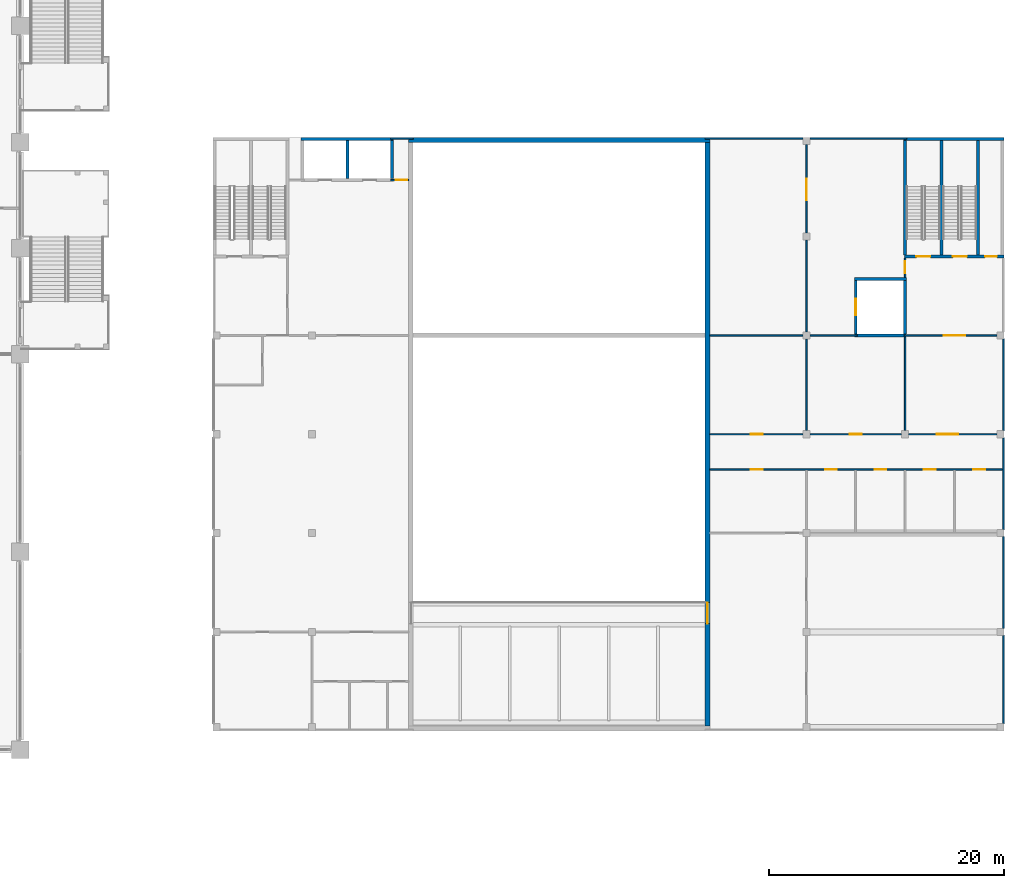
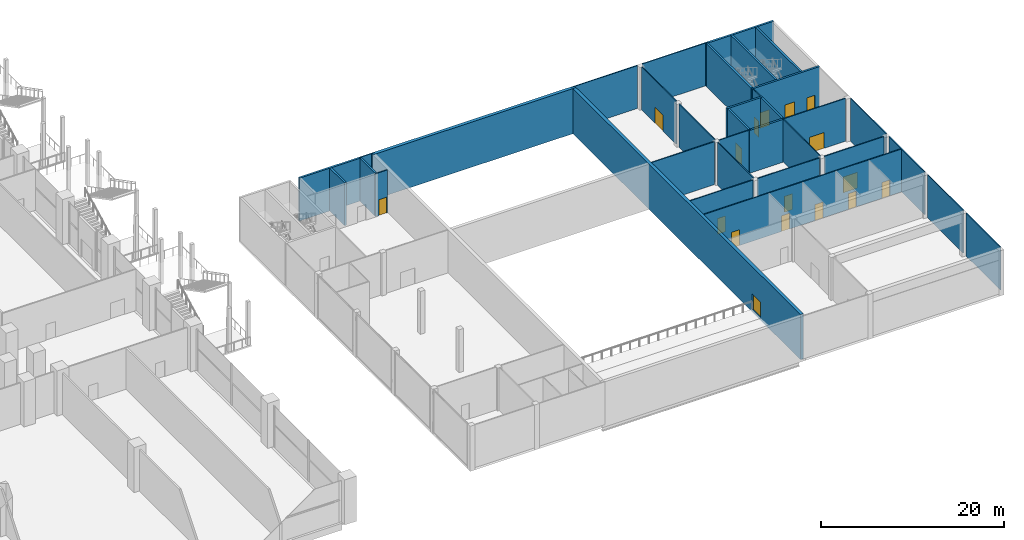
# One storey, part 30 of 49: 34 walls, 17 doors, 17 openings.
"""IFC4 building model written with IfcOpenShell, lengths in metres."""

from ifc_helpers import new_model, si_unit, direction, frame, frame_2d, origin, place, context, subcontext, project, spatial, rectangle, extrude, material, layer, layer_set, type_object, element, fill, save


model = new_model("IFC4")

# Units and contexts
model_context = context("Model", 3, precision=1e-05, world=origin(), true_north=direction((0.0, 1.0)))
body_context = subcontext(model_context, "Body", "Model", "MODEL_VIEW")
ifc_project = project(units=[si_unit("LENGTHUNIT", "METRE"), si_unit("AREAUNIT", "SQUARE_METRE"), si_unit("VOLUMEUNIT", "CUBIC_METRE"), si_unit("PLANEANGLEUNIT", "RADIAN"), si_unit("MASSUNIT", "GRAM", prefix="KILO")], contexts=[model_context])

# Site, building, storey
site_placement = place(None, origin())
site = spatial("IfcSite", under=ifc_project, at=site_placement, CompositionType="ELEMENT")
building_placement = place(site_placement, origin())
building = spatial("IfcBuilding", under=site, at=building_placement, Name="Candeia Pilgrim Tower and Theatre", CompositionType="ELEMENT")
storey_placement = place(building_placement, frame((0.0, 0.0, 17.0)))
storey = spatial("IfcBuildingStorey", under=building, at=storey_placement, Name="L02", CompositionType="ELEMENT", Elevation=17.0)

# Wall, openings, doors
ifc_material_1 = material(Name="Gypsum board on steel studs", Category="steel")
ifc_layer_1 = layer(ifc_material_1, 0.125)
ifc_layer_set_1 = layer_set([ifc_layer_1], Name="Partition 125")
wall_type_1 = type_object("IfcWallType", Name="Partition 125", PredefinedType="PARTITIONING", material=ifc_layer_set_1)
wall_1_placement = place(storey_placement, frame((218.199951171875, 88.199951171875, 0.0), z_axis=(0.0, 0.0, 1.0), x_axis=(1.0, 0.0, 0.0)))
wall_1 = element("IfcWall", 1, at=wall_1_placement, inside=storey, type_object=wall_type_1, Name="T-L02-W011", PredefinedType="PARTITIONING", context=body_context, shape_type="SweptSolid", body=[
    extrude(rectangle(XDim=24.875, YDim=0.125, at=frame_2d((12.4375, 0.0))), origin(), (0.0, 0.0, 1.0), 5.699951171875),
])
opening_1_placement = place(wall_1_placement, frame((3.5, 0.0, 0.0)))
opening_1 = element("IfcOpeningElement", 2, at=opening_1_placement, cuts=wall_1, Name="Opening TD-L02-025", PredefinedType="OPENING", context=body_context, shape_type="SweptSolid", body=[
    extrude(rectangle(XDim=1.0, YDim=2.10009765625, at=frame_2d((0.5, 1.050048828125))), frame((0.0, 0.072509765625, 0.0), z_axis=(0.0, -1.0, 0.0), x_axis=(1.0, 0.0, 0.0)), (0.0, 0.0, 1.0), 0.14501953125),
])
opening_2_placement = place(wall_1_placement, frame((9.800048828125, 0.0, 0.0)))
opening_2 = element("IfcOpeningElement", 3, at=opening_2_placement, cuts=wall_1, Name="Opening TD-L02-026", PredefinedType="OPENING", context=body_context, shape_type="SweptSolid", body=[
    extrude(rectangle(XDim=1.0, YDim=2.10009765625, at=frame_2d((0.5, 1.050048828125))), frame((0.0, 0.072509765625, 0.0), z_axis=(0.0, -1.0, 0.0), x_axis=(1.0, 0.0, 0.0)), (0.0, 0.0, 1.0), 0.14501953125),
])
opening_3_placement = place(wall_1_placement, frame((14.0, 0.0, 0.0)))
opening_3 = element("IfcOpeningElement", 4, at=opening_3_placement, cuts=wall_1, Name="Opening TD-L02-027", PredefinedType="OPENING", context=body_context, shape_type="SweptSolid", body=[
    extrude(rectangle(XDim=1.0, YDim=2.10009765625, at=frame_2d((0.5, 1.050048828125))), frame((0.0, 0.072509765625, 0.0), z_axis=(0.0, -1.0, 0.0), x_axis=(1.0, 0.0, 0.0)), (0.0, 0.0, 1.0), 0.14501953125),
])
opening_4_placement = place(wall_1_placement, frame((18.199951171875, 0.0, 0.0)))
opening_4 = element("IfcOpeningElement", 5, at=opening_4_placement, cuts=wall_1, Name="Opening TD-L02-028", PredefinedType="OPENING", context=body_context, shape_type="SweptSolid", body=[
    extrude(rectangle(XDim=1.0, YDim=2.10009765625, at=frame_2d((0.5, 1.050048828125))), frame((0.0, 0.072509765625, 0.0), z_axis=(0.0, -1.0, 0.0), x_axis=(1.0, 0.0, 0.0)), (0.0, 0.0, 1.0), 0.14501953125),
])
opening_5_placement = place(wall_1_placement, frame((22.39990234375, 0.0, 0.0)))
opening_5 = element("IfcOpeningElement", 6, at=opening_5_placement, cuts=wall_1, Name="Opening TD-L02-029", PredefinedType="OPENING", context=body_context, shape_type="SweptSolid", body=[
    extrude(rectangle(XDim=1.0, YDim=2.10009765625, at=frame_2d((0.5, 1.050048828125))), frame((0.0, 0.072509765625, 0.0), z_axis=(0.0, -1.0, 0.0), x_axis=(1.0, 0.0, 0.0)), (0.0, 0.0, 1.0), 0.14501953125),
])
ifc_material_2 = material(Name="Timber door leaf", Category="wood")
door_type_1 = type_object("IfcDoorType", Name="Door single 1000x2100", OperationType="NOTDEFINED", PredefinedType="DOOR", material=ifc_material_2)
door_1_placement = place(opening_1_placement, origin())
door_1 = element("IfcDoor", 7, at=door_1_placement, inside=storey, type_object=door_type_1, Name="Door TD-L02-025", OperationType="SINGLE_SWING_LEFT", OverallHeight=2.10009765625, OverallWidth=1.0, PredefinedType="DOOR", context=body_context, shape_type="SweptSolid", body=[
    extrude(rectangle(XDim=1.0, YDim=2.10009765625, at=frame_2d((0.5, 1.050048828125))), frame((0.0, 0.02490234375, 0.0), z_axis=(0.0, -1.0, 0.0), x_axis=(1.0, 0.0, 0.0)), (0.0, 0.0, 1.0), 0.050048828125),
])
fill(opening_1, door_1)
door_2_placement = place(opening_2_placement, origin())
door_2 = element("IfcDoor", 8, at=door_2_placement, inside=storey, type_object=door_type_1, Name="Door TD-L02-026", OperationType="SINGLE_SWING_RIGHT", OverallHeight=2.10009765625, OverallWidth=1.0, PredefinedType="DOOR", context=body_context, shape_type="SweptSolid", body=[
    extrude(rectangle(XDim=1.0, YDim=2.10009765625, at=frame_2d((0.5, 1.050048828125))), frame((0.0, 0.02490234375, 0.0), z_axis=(0.0, -1.0, 0.0), x_axis=(1.0, 0.0, 0.0)), (0.0, 0.0, 1.0), 0.050048828125),
])
fill(opening_2, door_2)
door_3_placement = place(opening_3_placement, origin())
door_3 = element("IfcDoor", 9, at=door_3_placement, inside=storey, type_object=door_type_1, Name="Door TD-L02-027", OperationType="SINGLE_SWING_LEFT", OverallHeight=2.10009765625, OverallWidth=1.0, PredefinedType="DOOR", context=body_context, shape_type="SweptSolid", body=[
    extrude(rectangle(XDim=1.0, YDim=2.10009765625, at=frame_2d((0.5, 1.050048828125))), frame((0.0, 0.02490234375, 0.0), z_axis=(0.0, -1.0, 0.0), x_axis=(1.0, 0.0, 0.0)), (0.0, 0.0, 1.0), 0.050048828125),
])
fill(opening_3, door_3)
door_4_placement = place(opening_4_placement, origin())
door_4 = element("IfcDoor", 10, at=door_4_placement, inside=storey, type_object=door_type_1, Name="Door TD-L02-028", OperationType="SINGLE_SWING_RIGHT", OverallHeight=2.10009765625, OverallWidth=1.0, PredefinedType="DOOR", context=body_context, shape_type="SweptSolid", body=[
    extrude(rectangle(XDim=1.0, YDim=2.10009765625, at=frame_2d((0.5, 1.050048828125))), frame((0.0, 0.02490234375, 0.0), z_axis=(0.0, -1.0, 0.0), x_axis=(1.0, 0.0, 0.0)), (0.0, 0.0, 1.0), 0.050048828125),
])
fill(opening_4, door_4)
door_5_placement = place(opening_5_placement, origin())
door_5 = element("IfcDoor", 11, at=door_5_placement, inside=storey, type_object=door_type_1, Name="Door TD-L02-029", OperationType="SINGLE_SWING_LEFT", OverallHeight=2.10009765625, OverallWidth=1.0, PredefinedType="DOOR", context=body_context, shape_type="SweptSolid", body=[
    extrude(rectangle(XDim=1.0, YDim=2.10009765625, at=frame_2d((0.5, 1.050048828125))), frame((0.0, 0.02490234375, 0.0), z_axis=(0.0, -1.0, 0.0), x_axis=(1.0, 0.0, 0.0)), (0.0, 0.0, 1.0), 0.050048828125),
])
fill(opening_5, door_5)

# Wall, opening, door
wall_2_placement = place(storey_placement, frame((218.199951171875, 91.199951171875, 0.0), z_axis=(0.0, 0.0, 1.0), x_axis=(1.0, 0.0, 0.0)))
wall_2 = element("IfcWall", 12, at=wall_2_placement, inside=storey, type_object=wall_type_1, Name="T-L02-W012", PredefinedType="PARTITIONING", context=body_context, shape_type="SweptSolid", body=[
    extrude(rectangle(XDim=7.900146484375, YDim=0.125, at=frame_2d((3.9501953125, 0.0))), origin(), (0.0, 0.0, 1.0), 5.699951171875),
])
opening_6_placement = place(wall_2_placement, frame((3.5, 0.0, 0.0)))
opening_6 = element("IfcOpeningElement", 13, at=opening_6_placement, cuts=wall_2, Name="Opening TD-L02-030", PredefinedType="OPENING", context=body_context, shape_type="SweptSolid", body=[
    extrude(rectangle(XDim=1.0, YDim=2.10009765625, at=frame_2d((0.5, 1.050048828125))), frame((0.0, 0.072509765625, 0.0), z_axis=(0.0, -1.0, 0.0), x_axis=(1.0, 0.0, 0.0)), (0.0, 0.0, 1.0), 0.14501953125),
])
door_6_placement = place(opening_6_placement, origin())
door_6 = element("IfcDoor", 14, at=door_6_placement, inside=storey, type_object=door_type_1, Name="Door TD-L02-030", OperationType="SINGLE_SWING_RIGHT", OverallHeight=2.10009765625, OverallWidth=1.0, PredefinedType="DOOR", context=body_context, shape_type="SweptSolid", body=[
    extrude(rectangle(XDim=1.0, YDim=2.10009765625, at=frame_2d((0.5, 1.050048828125))), frame((0.0, 0.02490234375, 0.0), z_axis=(0.0, -1.0, 0.0), x_axis=(1.0, 0.0, 0.0)), (0.0, 0.0, 1.0), 0.050048828125),
])
fill(opening_6, door_6)

wall_3_placement = place(storey_placement, frame((226.699951171875, 91.199951171875, 0.0), z_axis=(0.0, 0.0, 1.0), x_axis=(1.0, 0.0, 0.0)))
wall_3 = element("IfcWall", 15, at=wall_3_placement, inside=storey, type_object=wall_type_1, Name="T-L02-W013", PredefinedType="PARTITIONING", context=body_context, shape_type="SweptSolid", body=[
    extrude(rectangle(XDim=7.800048828125, YDim=0.125, at=frame_2d((3.89990234375, 0.0))), origin(), (0.0, 0.0, 1.0), 5.699951171875),
])
opening_7_placement = place(wall_3_placement, frame((3.39990234375, 0.0, 0.0)))
opening_7 = element("IfcOpeningElement", 16, at=opening_7_placement, cuts=wall_3, Name="Opening TD-L02-031", PredefinedType="OPENING", context=body_context, shape_type="SweptSolid", body=[
    extrude(rectangle(XDim=1.0, YDim=2.10009765625, at=frame_2d((0.5, 1.050048828125))), frame((0.0, 0.072509765625, 0.0), z_axis=(0.0, -1.0, 0.0), x_axis=(1.0, 0.0, 0.0)), (0.0, 0.0, 1.0), 0.14501953125),
])
door_7_placement = place(opening_7_placement, origin())
door_7 = element("IfcDoor", 17, at=door_7_placement, inside=storey, type_object=door_type_1, Name="Door TD-L02-031", OperationType="SINGLE_SWING_LEFT", OverallHeight=2.10009765625, OverallWidth=1.0, PredefinedType="DOOR", context=body_context, shape_type="SweptSolid", body=[
    extrude(rectangle(XDim=1.0, YDim=2.10009765625, at=frame_2d((0.5, 1.050048828125))), frame((0.0, 0.02490234375, 0.0), z_axis=(0.0, -1.0, 0.0), x_axis=(1.0, 0.0, 0.0)), (0.0, 0.0, 1.0), 0.050048828125),
])
fill(opening_7, door_7)

wall_4_placement = place(storey_placement, frame((235.10009765625, 91.199951171875, 0.0), z_axis=(0.0, 0.0, 1.0), x_axis=(1.0, 0.0, 0.0)))
wall_4 = element("IfcWall", 18, at=wall_4_placement, inside=storey, type_object=wall_type_1, Name="T-L02-W014", PredefinedType="PARTITIONING", context=body_context, shape_type="SweptSolid", body=[
    extrude(rectangle(XDim=7.5, YDim=0.125, at=frame_2d((3.75, 0.0))), origin(), (0.0, 0.0, 1.0), 5.699951171875),
])
opening_8_placement = place(wall_4_placement, frame((2.39990234375, 0.0, 0.0)))
opening_8 = element("IfcOpeningElement", 19, at=opening_8_placement, cuts=wall_4, Name="Opening TD-L02-032", PredefinedType="OPENING", context=body_context, shape_type="SweptSolid", body=[
    extrude(rectangle(XDim=1.800048828125, YDim=2.10009765625, at=frame_2d((0.89990234375, 1.050048828125))), frame((0.0, 0.072509765625, 0.0), z_axis=(0.0, -1.0, 0.0), x_axis=(1.0, 0.0, 0.0)), (0.0, 0.0, 1.0), 0.14501953125),
])
door_type_2 = type_object("IfcDoorType", Name="Door double 1800x2100", OperationType="DOUBLE_DOOR_SINGLE_SWING", PredefinedType="DOOR", material=ifc_material_2)
door_8_placement = place(opening_8_placement, origin())
door_8 = element("IfcDoor", 20, at=door_8_placement, inside=storey, type_object=door_type_2, Name="Door TD-L02-032", OperationType="DOUBLE_DOOR_SINGLE_SWING", OverallHeight=2.10009765625, OverallWidth=1.800048828125, PredefinedType="DOOR", context=body_context, shape_type="SweptSolid", body=[
    extrude(rectangle(XDim=1.800048828125, YDim=2.10009765625, at=frame_2d((0.89990234375, 1.050048828125))), frame((0.0, 0.02490234375, 0.0), z_axis=(0.0, -1.0, 0.0), x_axis=(1.0, 0.0, 0.0)), (0.0, 0.0, 1.0), 0.050048828125),
])
fill(opening_8, door_8)

# Walls
wall_5_placement = place(storey_placement, frame((218.199951171875, 99.60009765625, 0.0), z_axis=(0.0, 0.0, 1.0), x_axis=(1.0, 0.0, 0.0)))
element("IfcWall", 21, at=wall_5_placement, inside=storey, type_object=wall_type_1, Name="T-L02-W019", PredefinedType="PARTITIONING", context=body_context, shape_type="SweptSolid", body=[
    extrude(rectangle(XDim=7.900146484375, YDim=0.125, at=frame_2d((3.9501953125, 0.0))), origin(), (0.0, 0.0, 1.0), 5.699951171875),
])
wall_6_placement = place(storey_placement, frame((226.699951171875, 99.60009765625, 0.0), z_axis=(0.0, 0.0, 1.0), x_axis=(1.0, 0.0, 0.0)))
element("IfcWall", 22, at=wall_6_placement, inside=storey, type_object=wall_type_1, Name="T-L02-W020", PredefinedType="PARTITIONING", context=body_context, shape_type="SweptSolid", body=[
    extrude(rectangle(XDim=4.025146484375, YDim=0.125, at=frame_2d((2.0126953125, 0.0))), origin(), (0.0, 0.0, 1.0), 5.699951171875),
])

# Wall, opening, door
wall_7_placement = place(storey_placement, frame((234.737548828125, 99.60009765625, 0.0), z_axis=(0.0, 0.0, 1.0), x_axis=(1.0, 0.0, 0.0)))
wall_7 = element("IfcWall", 23, at=wall_7_placement, inside=storey, type_object=wall_type_1, Name="T-L02-W022", PredefinedType="PARTITIONING", context=body_context, shape_type="SweptSolid", body=[
    extrude(rectangle(XDim=7.862548828125, YDim=0.125, at=frame_2d((3.93115234375, 0.0))), origin(), (0.0, 0.0, 1.0), 5.699951171875),
])
opening_9_placement = place(wall_7_placement, frame((3.362548828125, 0.0, 0.0)))
opening_9 = element("IfcOpeningElement", 24, at=opening_9_placement, cuts=wall_7, Name="Opening TD-L02-033", PredefinedType="OPENING", context=body_context, shape_type="SweptSolid", body=[
    extrude(rectangle(XDim=1.800048828125, YDim=2.10009765625, at=frame_2d((0.89990234375, 1.050048828125))), frame((0.0, 0.072509765625, 0.0), z_axis=(0.0, -1.0, 0.0), x_axis=(1.0, 0.0, 0.0)), (0.0, 0.0, 1.0), 0.14501953125),
])
door_9_placement = place(opening_9_placement, origin())
door_9 = element("IfcDoor", 25, at=door_9_placement, inside=storey, type_object=door_type_2, Name="Door TD-L02-033", OperationType="DOUBLE_DOOR_SINGLE_SWING", OverallHeight=2.10009765625, OverallWidth=1.800048828125, PredefinedType="DOOR", context=body_context, shape_type="SweptSolid", body=[
    extrude(rectangle(XDim=1.800048828125, YDim=2.10009765625, at=frame_2d((0.89990234375, 1.050048828125))), frame((0.0, 0.02490234375, 0.0), z_axis=(0.0, -1.0, 0.0), x_axis=(1.0, 0.0, 0.0)), (0.0, 0.0, 1.0), 0.050048828125),
])
fill(opening_9, door_9)

wall_8_placement = place(storey_placement, frame((191.074951171875, 112.800048828125, 0.0), z_axis=(0.0, 0.0, 1.0), x_axis=(1.0, 0.0, 0.0)))
wall_8 = element("IfcWall", 26, at=wall_8_placement, inside=storey, type_object=wall_type_1, Name="T-L02-W028", PredefinedType="PARTITIONING", context=body_context, shape_type="SweptSolid", body=[
    extrude(rectangle(XDim=1.525146484375, YDim=0.125, at=frame_2d((0.7626953125, 0.0))), origin(), (0.0, 0.0, 1.0), 5.699951171875),
])
opening_10_placement = place(wall_8_placement, frame((0.425048828125, 0.0, 0.0)))
opening_10 = element("IfcOpeningElement", 27, at=opening_10_placement, cuts=wall_8, Name="Opening TD-L02-006", PredefinedType="OPENING", context=body_context, shape_type="SweptSolid", body=[
    extrude(rectangle(XDim=1.0, YDim=2.10009765625, at=frame_2d((0.5, 1.050048828125))), frame((0.0, 0.072509765625, 0.0), z_axis=(0.0, -1.0, 0.0), x_axis=(1.0, 0.0, 0.0)), (0.0, 0.0, 1.0), 0.14501953125),
])
ifc_material_3 = material(Name="Steel fire door leaf", Category="steel")
door_type_3 = type_object("IfcDoorType", Name="Door fire single 1000x2100", OperationType="NOTDEFINED", PredefinedType="DOOR", material=ifc_material_3)
door_10_placement = place(opening_10_placement, origin())
door_10 = element("IfcDoor", 28, at=door_10_placement, inside=storey, type_object=door_type_3, Name="Door TD-L02-006", OperationType="SINGLE_SWING_RIGHT", OverallHeight=2.10009765625, OverallWidth=1.0, PredefinedType="DOOR", context=body_context, shape_type="SweptSolid", body=[
    extrude(rectangle(XDim=1.0, YDim=2.10009765625, at=frame_2d((0.5, 1.050048828125))), frame((0.0, 0.02490234375, 0.0), z_axis=(0.0, -1.0, 0.0), x_axis=(1.0, 0.0, 0.0)), (0.0, 0.0, 1.0), 0.050048828125),
])
fill(opening_10, door_10)

# Walls
wall_9_placement = place(storey_placement, frame((191.074951171875, 116.33740234375, 0.0), z_axis=(0.0, 0.0, 1.0), x_axis=(1.0, 0.0, 0.0)))
element("IfcWall", 29, at=wall_9_placement, inside=storey, type_object=wall_type_1, Name="T-L02-W033", PredefinedType="PARTITIONING", context=body_context, shape_type="SweptSolid", body=[
    extrude(rectangle(XDim=1.925048828125, YDim=0.125, at=frame_2d((0.96240234375, 0.0))), origin(), (0.0, 0.0, 1.0), 5.699951171875),
])
wall_10_placement = place(storey_placement, frame((217.800048828125, 116.33740234375, 0.0), z_axis=(0.0, 0.0, 1.0), x_axis=(1.0, 0.0, 0.0)))
element("IfcWall", 30, at=wall_10_placement, inside=storey, type_object=wall_type_1, Name="T-L02-W034", PredefinedType="PARTITIONING", context=body_context, shape_type="SweptSolid", body=[
    extrude(rectangle(XDim=8.300048828125, YDim=0.125, at=frame_2d((4.14990234375, 0.0))), origin(), (0.0, 0.0, 1.0), 5.699951171875),
])
wall_11_placement = place(storey_placement, frame((226.699951171875, 116.33740234375, 0.0), z_axis=(0.0, 0.0, 1.0), x_axis=(1.0, 0.0, 0.0)))
element("IfcWall", 31, at=wall_11_placement, inside=storey, type_object=wall_type_1, Name="T-L02-W035", PredefinedType="PARTITIONING", context=body_context, shape_type="SweptSolid", body=[
    extrude(rectangle(XDim=8.22509765625, YDim=0.125, at=frame_2d((4.112548828125, 0.0))), origin(), (0.0, 0.0, 1.0), 5.699951171875),
])
for number, where, z_axis, x_axis, name in (
    (32, (226.39990234375, 91.5, 0.0), (0.0, 0.0, 1.0), (0.0, 1.0, 0.0), "T-L02-W053"),
    (33, (226.39990234375, 99.89990234375, 0.0), (0.0, 0.0, 1.0), (0.0, 1.0, 0.0), "T-L02-W054"),
):
    element("IfcWall", number, at=place(storey_placement, frame(where, z_axis=z_axis, x_axis=x_axis)), inside=storey, type_object=wall_type_1, Name=name, PredefinedType="PARTITIONING", context=body_context, shape_type="SweptSolid", body=[
        extrude(rectangle(XDim=7.800048828125, YDim=0.125, at=frame_2d((3.89990234375, 0.0))), origin(), (0.0, 0.0, 1.0), 5.699951171875),
    ])

# Wall, opening, door
wall_12_placement = place(storey_placement, frame((226.39990234375, 108.300048828125, 0.0), z_axis=(0.0, 0.0, 1.0), x_axis=(0.0, 1.0, 0.0)))
wall_12 = element("IfcWall", 34, at=wall_12_placement, inside=storey, type_object=wall_type_1, Name="T-L02-W055", PredefinedType="PARTITIONING", context=body_context, shape_type="SweptSolid", body=[
    extrude(rectangle(XDim=7.5, YDim=0.125, at=frame_2d((3.75, 0.0))), origin(), (0.0, 0.0, 1.0), 5.699951171875),
])
opening_11_placement = place(wall_12_placement, frame((2.800048828125, 0.0, 0.0)))
opening_11 = element("IfcOpeningElement", 35, at=opening_11_placement, cuts=wall_12, Name="Opening TD-L02-034", PredefinedType="OPENING", context=body_context, shape_type="SweptSolid", body=[
    extrude(rectangle(XDim=1.800048828125, YDim=2.10009765625, at=frame_2d((0.89990234375, 1.050048828125))), frame((0.0, 0.072509765625, 0.0), z_axis=(0.0, -1.0, 0.0), x_axis=(1.0, 0.0, 0.0)), (0.0, 0.0, 1.0), 0.14501953125),
])
door_11_placement = place(opening_11_placement, origin())
door_11 = element("IfcDoor", 36, at=door_11_placement, inside=storey, type_object=door_type_2, Name="Door TD-L02-034", OperationType="DOUBLE_DOOR_SINGLE_SWING", OverallHeight=2.10009765625, OverallWidth=1.800048828125, PredefinedType="DOOR", context=body_context, shape_type="SweptSolid", body=[
    extrude(rectangle(XDim=1.800048828125, YDim=2.10009765625, at=frame_2d((0.89990234375, 1.050048828125))), frame((0.0, 0.02490234375, 0.0), z_axis=(0.0, -1.0, 0.0), x_axis=(1.0, 0.0, 0.0)), (0.0, 0.0, 1.0), 0.050048828125),
])
fill(opening_11, door_11)

# Wall
wall_13_placement = place(storey_placement, frame((234.800048828125, 91.5, 0.0), z_axis=(0.0, 0.0, 1.0), x_axis=(0.0, 1.0, 0.0)))
element("IfcWall", 37, at=wall_13_placement, inside=storey, type_object=wall_type_1, Name="T-L02-W059", PredefinedType="PARTITIONING", context=body_context, shape_type="SweptSolid", body=[
    extrude(rectangle(XDim=7.97509765625, YDim=0.125, at=frame_2d((3.987548828125, 0.0))), origin(), (0.0, 0.0, 1.0), 5.699951171875),
])

# Wall, opening, door
wall_14_placement = place(storey_placement, frame((234.800048828125, 104.52490234375, 0.0), z_axis=(0.0, 0.0, 1.0), x_axis=(0.0, 1.0, 0.0)))
wall_14 = element("IfcWall", 38, at=wall_14_placement, inside=storey, type_object=wall_type_1, Name="T-L02-W061", PredefinedType="PARTITIONING", context=body_context, shape_type="SweptSolid", body=[
    extrude(rectangle(XDim=1.650146484375, YDim=0.125, at=frame_2d((0.8251953125, 0.0))), origin(), (0.0, 0.0, 1.0), 5.699951171875),
])
opening_12_placement = place(wall_14_placement, frame((0.375, 0.0, 0.0)))
opening_12 = element("IfcOpeningElement", 39, at=opening_12_placement, cuts=wall_14, Name="Opening TD-L02-010", PredefinedType="OPENING", context=body_context, shape_type="SweptSolid", body=[
    extrude(rectangle(XDim=1.0, YDim=2.10009765625, at=frame_2d((0.5, 1.050048828125))), frame((0.0, 0.072509765625, 0.0), z_axis=(0.0, -1.0, 0.0), x_axis=(1.0, 0.0, 0.0)), (0.0, 0.0, 1.0), 0.14501953125),
])
door_12_placement = place(opening_12_placement, origin())
door_12 = element("IfcDoor", 40, at=door_12_placement, inside=storey, type_object=door_type_3, Name="Door TD-L02-010", OperationType="SINGLE_SWING_RIGHT", OverallHeight=2.10009765625, OverallWidth=1.0, PredefinedType="DOOR", context=body_context, shape_type="SweptSolid", body=[
    extrude(rectangle(XDim=1.0, YDim=2.10009765625, at=frame_2d((0.5, 1.050048828125))), frame((0.0, 0.02490234375, 0.0), z_axis=(0.0, -1.0, 0.0), x_axis=(1.0, 0.0, 0.0)), (0.0, 0.0, 1.0), 0.050048828125),
])
fill(opening_12, door_12)

# Walls
wall_15_placement = place(storey_placement, frame((243.137451171875, 66.60009765625, 0.0), z_axis=(0.0, 0.0, 1.0), x_axis=(0.0, 1.0, 0.0)))
element("IfcWall", 41, at=wall_15_placement, inside=storey, type_object=wall_type_1, Name="T-L02-W067", PredefinedType="PARTITIONING", context=body_context, shape_type="SweptSolid", body=[
    extrude(rectangle(XDim=7.5, YDim=0.125, at=frame_2d((3.75, 0.0))), origin(), (0.0, 0.0, 1.0), 5.699951171875),
])
wall_16_placement = place(storey_placement, frame((243.137451171875, 74.699951171875, 0.0), z_axis=(0.0, 0.0, 1.0), x_axis=(0.0, 1.0, 0.0)))
element("IfcWall", 42, at=wall_16_placement, inside=storey, type_object=wall_type_1, Name="T-L02-W068", PredefinedType="PARTITIONING", context=body_context, shape_type="SweptSolid", body=[
    extrude(rectangle(XDim=7.800048828125, YDim=0.125, at=frame_2d((3.89990234375, 0.0))), origin(), (0.0, 0.0, 1.0), 5.699951171875),
])
wall_17_placement = place(storey_placement, frame((243.137451171875, 83.10009765625, 0.0), z_axis=(0.0, 0.0, 1.0), x_axis=(0.0, 1.0, 0.0)))
element("IfcWall", 43, at=wall_17_placement, inside=storey, type_object=wall_type_1, Name="T-L02-W069", PredefinedType="PARTITIONING", context=body_context, shape_type="SweptSolid", body=[
    extrude(rectangle(XDim=7.7998046875, YDim=0.125, at=frame_2d((3.89990234375, 0.0))), origin(), (0.0, 0.0, 1.0), 5.699951171875),
])
wall_18_placement = place(storey_placement, frame((243.137451171875, 91.5, 0.0), z_axis=(0.0, 0.0, 1.0), x_axis=(0.0, 1.0, 0.0)))
element("IfcWall", 44, at=wall_18_placement, inside=storey, type_object=wall_type_1, Name="T-L02-W070", PredefinedType="PARTITIONING", context=body_context, shape_type="SweptSolid", body=[
    extrude(rectangle(XDim=7.800048828125, YDim=0.125, at=frame_2d((3.89990234375, 0.0))), origin(), (0.0, 0.0, 1.0), 5.699951171875),
])
ifc_material_4 = material(Name="Concrete C35/45", Category="concrete")
ifc_layer_2 = layer(ifc_material_4, 0.25)
ifc_layer_set_2 = layer_set([ifc_layer_2], Name="RC wall 250 C35/45")
wall_type_2 = type_object("IfcWallType", Name="RC wall 250 C35/45", PredefinedType="SOLIDWALL", material=ifc_layer_set_2)
wall_19_placement = place(storey_placement, frame((230.47509765625, 99.60009765625, 0.0), z_axis=(0.0, 0.0, 1.0), x_axis=(1.0, 0.0, 0.0)))
element("IfcWall", 45, at=wall_19_placement, inside=storey, type_object=wall_type_2, Name="T-L02-W021", PredefinedType="SOLIDWALL", context=body_context, shape_type="SweptSolid", body=[
    extrude(rectangle(XDim=4.387451171875, YDim=0.25, at=frame_2d((2.19384765625, 0.0))), origin(), (0.0, 0.0, 1.0), 5.699951171875),
])
wall_20_placement = place(storey_placement, frame((230.47509765625, 104.39990234375, 0.0), z_axis=(0.0, 0.0, 1.0), x_axis=(1.0, 0.0, 0.0)))
element("IfcWall", 46, at=wall_20_placement, inside=storey, type_object=wall_type_2, Name="T-L02-W023", PredefinedType="SOLIDWALL", context=body_context, shape_type="SweptSolid", body=[
    extrude(rectangle(XDim=4.449951171875, YDim=0.25, at=frame_2d((2.22509765625, 0.0))), origin(), (0.0, 0.0, 1.0), 5.699951171875),
])

# Wall, openings, doors
wall_21_placement = place(storey_placement, frame((234.737548828125, 106.300048828125, 0.0), z_axis=(0.0, 0.0, 1.0), x_axis=(1.0, 0.0, 0.0)))
wall_21 = element("IfcWall", 47, at=wall_21_placement, inside=storey, type_object=wall_type_2, Name="T-L02-W025", PredefinedType="SOLIDWALL", context=body_context, shape_type="SweptSolid", body=[
    extrude(rectangle(XDim=8.46240234375, YDim=0.25, at=frame_2d((4.231201171875, 0.0))), origin(), (0.0, 0.0, 1.0), 5.699951171875),
])
opening_13_placement = place(wall_21_placement, frame((1.012451171875, 0.0, 0.0)))
opening_13 = element("IfcOpeningElement", 48, at=opening_13_placement, cuts=wall_21, Name="Opening TD-L02-007", PredefinedType="OPENING", context=body_context, shape_type="SweptSolid", body=[
    extrude(rectangle(XDim=1.199951171875, YDim=2.10009765625, at=frame_2d((0.60009765625, 1.050048828125))), frame((0.0, 0.135009765625, 0.0), z_axis=(0.0, -1.0, 0.0), x_axis=(1.0, 0.0, 0.0)), (0.0, 0.0, 1.0), 0.27001953125),
])
opening_14_placement = place(wall_21_placement, frame((4.112548828125, 0.0, 0.0)))
opening_14 = element("IfcOpeningElement", 49, at=opening_14_placement, cuts=wall_21, Name="Opening TD-L02-008", PredefinedType="OPENING", context=body_context, shape_type="SweptSolid", body=[
    extrude(rectangle(XDim=1.199951171875, YDim=2.10009765625, at=frame_2d((0.60009765625, 1.050048828125))), frame((0.0, 0.135009765625, 0.0), z_axis=(0.0, -1.0, 0.0), x_axis=(1.0, 0.0, 0.0)), (0.0, 0.0, 1.0), 0.27001953125),
])
opening_15_placement = place(wall_21_placement, frame((6.862548828125, 0.0, 0.0)))
opening_15 = element("IfcOpeningElement", 50, at=opening_15_placement, cuts=wall_21, Name="Opening TD-L02-009", PredefinedType="OPENING", context=body_context, shape_type="SweptSolid", body=[
    extrude(rectangle(XDim=1.0, YDim=2.10009765625, at=frame_2d((0.5, 1.050048828125))), frame((0.0, 0.135009765625, 0.0), z_axis=(0.0, -1.0, 0.0), x_axis=(1.0, 0.0, 0.0)), (0.0, 0.0, 1.0), 0.27001953125),
])
door_type_4 = type_object("IfcDoorType", Name="Door exit single 1200x2100", OperationType="NOTDEFINED", PredefinedType="DOOR", material=ifc_material_3)
door_13_placement = place(opening_13_placement, origin())
door_13 = element("IfcDoor", 51, at=door_13_placement, inside=storey, type_object=door_type_4, Name="Door TD-L02-007", OperationType="SINGLE_SWING_LEFT", OverallHeight=2.10009765625, OverallWidth=1.199951171875, PredefinedType="DOOR", context=body_context, shape_type="SweptSolid", body=[
    extrude(rectangle(XDim=1.199951171875, YDim=2.10009765625, at=frame_2d((0.60009765625, 1.050048828125))), frame((0.0, 0.02490234375, 0.0), z_axis=(0.0, -1.0, 0.0), x_axis=(1.0, 0.0, 0.0)), (0.0, 0.0, 1.0), 0.050048828125),
])
fill(opening_13, door_13)
door_14_placement = place(opening_14_placement, origin())
door_14 = element("IfcDoor", 52, at=door_14_placement, inside=storey, type_object=door_type_4, Name="Door TD-L02-008", OperationType="SINGLE_SWING_RIGHT", OverallHeight=2.10009765625, OverallWidth=1.199951171875, PredefinedType="DOOR", context=body_context, shape_type="SweptSolid", body=[
    extrude(rectangle(XDim=1.199951171875, YDim=2.10009765625, at=frame_2d((0.60009765625, 1.050048828125))), frame((0.0, 0.02490234375, 0.0), z_axis=(0.0, -1.0, 0.0), x_axis=(1.0, 0.0, 0.0)), (0.0, 0.0, 1.0), 0.050048828125),
])
fill(opening_14, door_14)
door_15_placement = place(opening_15_placement, origin())
door_15 = element("IfcDoor", 53, at=door_15_placement, inside=storey, type_object=door_type_3, Name="Door TD-L02-009", OperationType="SINGLE_SWING_LEFT", OverallHeight=2.10009765625, OverallWidth=1.0, PredefinedType="DOOR", context=body_context, shape_type="SweptSolid", body=[
    extrude(rectangle(XDim=1.0, YDim=2.10009765625, at=frame_2d((0.5, 1.050048828125))), frame((0.0, 0.02490234375, 0.0), z_axis=(0.0, -1.0, 0.0), x_axis=(1.0, 0.0, 0.0)), (0.0, 0.0, 1.0), 0.050048828125),
])
fill(opening_15, door_15)

# Walls
wall_22_placement = place(storey_placement, frame((183.47509765625, 116.27490234375, 0.0), z_axis=(0.0, 0.0, 1.0), x_axis=(1.0, 0.0, 0.0)))
element("IfcWall", 54, at=wall_22_placement, inside=storey, type_object=wall_type_2, Name="T-L02-W031", PredefinedType="SOLIDWALL", context=body_context, shape_type="SweptSolid", body=[
    extrude(rectangle(XDim=7.849853515625, YDim=0.25, at=frame_2d((3.9248046875, 0.0))), origin(), (0.0, 0.0, 1.0), 5.699951171875),
])
wall_23_placement = place(storey_placement, frame((234.675048828125, 116.27490234375, 0.0), z_axis=(0.0, 0.0, 1.0), x_axis=(1.0, 0.0, 0.0)))
element("IfcWall", 55, at=wall_23_placement, inside=storey, type_object=wall_type_2, Name="T-L02-W032", PredefinedType="SOLIDWALL", context=body_context, shape_type="SweptSolid", body=[
    extrude(rectangle(XDim=8.52490234375, YDim=0.25, at=frame_2d((4.262451171875, 0.0))), origin(), (0.0, 0.0, 1.0), 5.699951171875),
])
for number, where, z_axis, x_axis, name in (
    (56, (187.39990234375, 112.925048828125, 0.0), (0.0, 0.0, 1.0), (0.0, 1.0, 0.0), "T-L02-W044"),
    (57, (191.199951171875, 112.925048828125, 0.0), (0.0, 0.0, 1.0), (0.0, 1.0, 0.0), "T-L02-W047"),
):
    element("IfcWall", number, at=place(storey_placement, frame(where, z_axis=z_axis, x_axis=x_axis)), inside=storey, type_object=wall_type_2, Name=name, PredefinedType="SOLIDWALL", context=body_context, shape_type="SweptSolid", body=[
        extrude(rectangle(XDim=3.224853515625, YDim=0.25, at=frame_2d((1.6123046875, 0.0))), origin(), (0.0, 0.0, 1.0), 5.699951171875),
    ])

# Wall, opening, door
wall_24_placement = place(storey_placement, frame((230.60009765625, 99.66259765625, 0.0), z_axis=(0.0, 0.0, 1.0), x_axis=(0.0, 1.0, 0.0)))
wall_24 = element("IfcWall", 58, at=wall_24_placement, inside=storey, type_object=wall_type_2, Name="T-L02-W057", PredefinedType="SOLIDWALL", context=body_context, shape_type="SweptSolid", body=[
    extrude(rectangle(XDim=4.6123046875, YDim=0.25, at=frame_2d((2.30615234375, 0.0))), origin(), (0.0, 0.0, 1.0), 5.699951171875),
])
opening_16_placement = place(wall_24_placement, frame((1.637451171875, 0.0, 0.0)))
opening_16 = element("IfcOpeningElement", 59, at=opening_16_placement, cuts=wall_24, Name="Opening TD-L02-011", PredefinedType="OPENING", context=body_context, shape_type="SweptSolid", body=[
    extrude(rectangle(XDim=1.39990234375, YDim=2.10009765625, at=frame_2d((0.699951171875, 1.050048828125))), frame((0.0, 0.135009765625, 0.0), z_axis=(0.0, -1.0, 0.0), x_axis=(1.0, 0.0, 0.0)), (0.0, 0.0, 1.0), 0.27001953125),
])
ifc_material_5 = material(Name="Stainless steel landing door", Category="steel")
door_type_5 = type_object("IfcDoorType", Name="Door goods lift landing 1400x2100", OperationType="DOUBLE_DOOR_SLIDING", PredefinedType="DOOR", material=ifc_material_5)
door_16_placement = place(opening_16_placement, origin())
door_16 = element("IfcDoor", 60, at=door_16_placement, inside=storey, type_object=door_type_5, Name="Door TD-L02-011", OperationType="DOUBLE_DOOR_SLIDING", OverallHeight=2.10009765625, OverallWidth=1.39990234375, PredefinedType="DOOR", context=body_context, shape_type="SweptSolid", body=[
    extrude(rectangle(XDim=1.39990234375, YDim=2.10009765625, at=frame_2d((0.699951171875, 1.050048828125))), frame((0.0, 0.02490234375, 0.0), z_axis=(0.0, -1.0, 0.0), x_axis=(1.0, 0.0, 0.0)), (0.0, 0.0, 1.0), 0.050048828125),
])
fill(opening_16, door_16)

# Walls
wall_25_placement = place(storey_placement, frame((234.800048828125, 99.72509765625, 0.0), z_axis=(0.0, 0.0, 1.0), x_axis=(0.0, 1.0, 0.0)))
element("IfcWall", 61, at=wall_25_placement, inside=storey, type_object=wall_type_2, Name="T-L02-W060", PredefinedType="SOLIDWALL", context=body_context, shape_type="SweptSolid", body=[
    extrude(rectangle(XDim=4.5498046875, YDim=0.25, at=frame_2d((2.27490234375, 0.0))), origin(), (0.0, 0.0, 1.0), 5.699951171875),
])
wall_26_placement = place(storey_placement, frame((234.800048828125, 106.425048828125, 0.0), z_axis=(0.0, 0.0, 1.0), x_axis=(0.0, 1.0, 0.0)))
element("IfcWall", 62, at=wall_26_placement, inside=storey, type_object=wall_type_2, Name="T-L02-W062", PredefinedType="SOLIDWALL", context=body_context, shape_type="SweptSolid", body=[
    extrude(rectangle(XDim=9.849853515625, YDim=0.25, at=frame_2d((4.9248046875, 0.0))), origin(), (0.0, 0.0, 1.0), 5.699951171875),
])
for number, where, z_axis, x_axis, name in (
    (63, (237.89990234375, 106.425048828125, 0.0), (0.0, 0.0, 1.0), (0.0, 1.0, 0.0), "T-L02-W063"),
    (64, (241.0, 106.425048828125, 0.0), (0.0, 0.0, 1.0), (0.0, 1.0, 0.0), "T-L02-W065"),
):
    element("IfcWall", number, at=place(storey_placement, frame(where, z_axis=z_axis, x_axis=x_axis)), inside=storey, type_object=wall_type_2, Name=name, PredefinedType="SOLIDWALL", context=body_context, shape_type="SweptSolid", body=[
        extrude(rectangle(XDim=9.724853515625, YDim=0.25, at=frame_2d((4.8623046875, 0.0))), origin(), (0.0, 0.0, 1.0), 5.699951171875),
    ])
ifc_material_6 = material(Name="Concrete C40/50", Category="concrete")
ifc_layer_3 = layer(ifc_material_6, 0.39990234375)
ifc_layer_set_3 = layer_set([ifc_layer_3], Name="RC wall 400 house C40/50")
wall_type_3 = type_object("IfcWallType", Name="RC wall 400 house C40/50", PredefinedType="SOLIDWALL", material=ifc_layer_set_3)
wall_27_placement = place(storey_placement, frame((192.60009765625, 116.199951171875, -0.300048828125), z_axis=(0.0, 0.0, 1.0), x_axis=(1.0, 0.0, 0.0)))
element("IfcWall", 65, at=wall_27_placement, inside=storey, type_object=wall_type_3, Name="T-L02-W029", PredefinedType="SOLIDWALL", context=body_context, shape_type="SweptSolid", body=[
    extrude(rectangle(XDim=25.599853515625, YDim=0.39990234375, at=frame_2d((12.7998046875, 0.0))), origin(), (0.0, 0.0, 1.0), 6.0),
])

# Wall, opening, door
wall_28_placement = place(storey_placement, frame((218.0, 66.39990234375, -0.300048828125), z_axis=(0.0, 0.0, 1.0), x_axis=(0.0, 1.0, 0.0)))
wall_28 = element("IfcWall", 66, at=wall_28_placement, inside=storey, type_object=wall_type_3, Name="T-L02-W049", PredefinedType="SOLIDWALL", context=body_context, shape_type="SweptSolid", body=[
    extrude(rectangle(XDim=49.60009765625, YDim=0.39990234375, at=frame_2d((24.800048828125, 0.0))), origin(), (0.0, 0.0, 1.0), 6.0),
])
opening_17_placement = place(wall_28_placement, frame((8.699951171875, 0.0, 0.300048828125)))
opening_17 = element("IfcOpeningElement", 67, at=opening_17_placement, cuts=wall_28, Name="Opening TD-L02-023", PredefinedType="OPENING", context=body_context, shape_type="SweptSolid", body=[
    extrude(rectangle(XDim=1.800048828125, YDim=2.10009765625, at=frame_2d((0.89990234375, 1.050048828125))), frame((0.0, 0.2099609375, 0.0), z_axis=(0.0, -1.0, 0.0), x_axis=(1.0, 0.0, 0.0)), (0.0, 0.0, 1.0), 0.419921875),
])
door_17_placement = place(opening_17_placement, origin())
door_17 = element("IfcDoor", 68, at=door_17_placement, inside=storey, type_object=door_type_2, Name="Door TD-L02-023", OperationType="DOUBLE_DOOR_SINGLE_SWING", OverallHeight=2.10009765625, OverallWidth=1.800048828125, PredefinedType="DOOR", context=body_context, shape_type="SweptSolid", body=[
    extrude(rectangle(XDim=1.800048828125, YDim=2.10009765625, at=frame_2d((0.89990234375, 1.050048828125))), frame((0.0, 0.02490234375, 0.0), z_axis=(0.0, -1.0, 0.0), x_axis=(1.0, 0.0, 0.0)), (0.0, 0.0, 1.0), 0.050048828125),
])
fill(opening_17, door_17)

save(model, "model.ifc")
